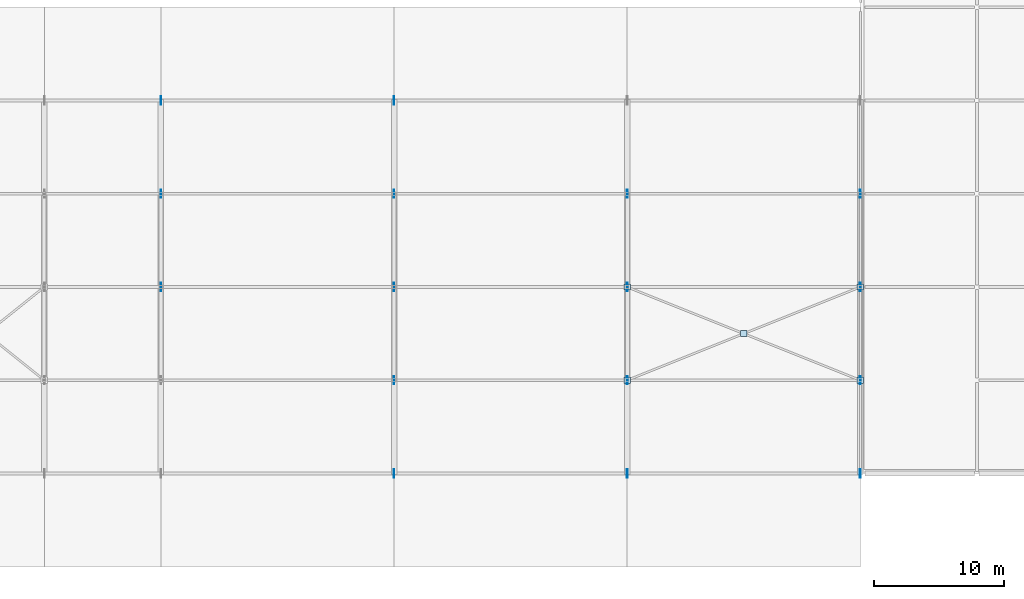
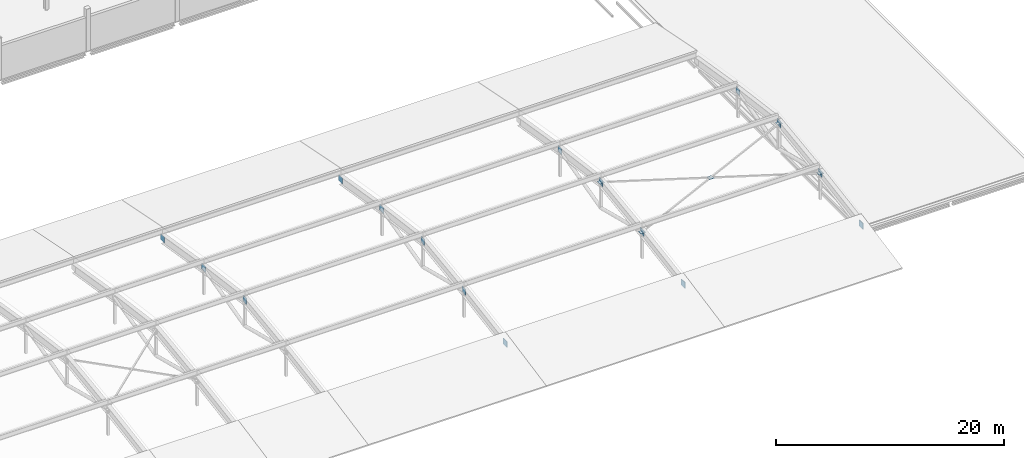
# One storey, part 61 of 78: 21 plates.
"""IFC4 building model written with IfcOpenShell, lengths in metres."""

from ifc_helpers import new_model, si_unit, direction, frame, origin, origin_2d, place, context, subcontext, project, spatial, rectangle, extrude, material, layer, layer_set, type_object, element, save


model = new_model("IFC4")

# Units and contexts
model_context = context("Model", 3, precision=1e-05, world=origin(), true_north=direction((0.0, 1.0)))
body_context = subcontext(model_context, "Body", "Model", "MODEL_VIEW")
ifc_project = project(units=[si_unit("LENGTHUNIT", "METRE"), si_unit("AREAUNIT", "SQUARE_METRE"), si_unit("VOLUMEUNIT", "CUBIC_METRE"), si_unit("PLANEANGLEUNIT", "RADIAN"), si_unit("MASSUNIT", "GRAM", prefix="KILO")], contexts=[model_context])

# Site, building, storey
site_placement = place(None, origin())
site = spatial("IfcSite", under=ifc_project, at=site_placement, CompositionType="ELEMENT")
building_placement = place(site_placement, origin())
building = spatial("IfcBuilding", under=site, at=building_placement, Name="Celestram Park Convention Centre", CompositionType="ELEMENT")
storey_placement = place(building_placement, frame((0.0, 0.0, 19.800048828125)))
storey = spatial("IfcBuildingStorey", under=building, at=storey_placement, Name="L04", CompositionType="ELEMENT", Elevation=19.800048828125)

# Plates
ifc_material = material(Name="Steel ASTM A572 Grade 50", Category="steel")
ifc_layer_1 = layer(ifc_material, 0.031982421875)
ifc_layer_set_1 = layer_set([ifc_layer_1], Name="Steel ASTM A572 Grade 50")
plate_type_1 = type_object("IfcPlateType", Name="STR-PLT-GP32", PredefinedType="USERDEFINED", material=ifc_layer_set_1)
for number, where, z_axis, x_axis, name in (
    (1, (117.0, 61.199951171875, 2.10498046875), (0.0, 0.0, 1.0), (1.0, 0.0, 0.0), "X-brace midpoint crossing gusset GP-L04-503"),
    (2, (108.0, 57.60009765625, 1.62548828125), (0.0, 0.0, 1.0), (1.0, 0.0, 0.0), "X-brace end gusset GP-L04-504"),
    (3, (126.0, 64.800048828125, 2.583984375), (0.0, 0.0, 1.0), (1.0, 0.0, 0.0), "X-brace end gusset GP-L04-505"),
    (4, (126.0, 57.60009765625, 1.62548828125), (0.0, 0.0, 1.0), (1.0, 0.0, 0.0), "X-brace end gusset GP-L04-506"),
    (5, (108.0, 64.800048828125, 2.583984375), (0.0, 0.0, 1.0), (1.0, 0.0, 0.0), "X-brace end gusset GP-L04-507"),
):
    element("IfcPlate", number, at=place(storey_placement, frame(where, z_axis=z_axis, x_axis=x_axis)), inside=storey, type_object=plate_type_1, Name=name, ObjectType="GUSSET_PLATE", PredefinedType="USERDEFINED", context=body_context, shape_type="SweptSolid", body=[
        extrude(rectangle(XDim=0.47998046875, YDim=0.47998046875, at=origin_2d()), origin(), (0.0, 0.0, 1.0), 0.031982421875),
    ])
ifc_layer_2 = layer(ifc_material, 0.050048828125)
ifc_layer_set_2 = layer_set([ifc_layer_2], Name="Steel ASTM A572 Grade 50")
plate_type_2 = type_object("IfcPlateType", Name="STR-PLT-GP50", PredefinedType="USERDEFINED", material=ifc_layer_set_2)
for number, where, z_axis, x_axis, name in (
    (6, (72.0, 64.800048828125, 2.303466796875), (0.0, 0.0, 1.0), (0.0, 1.0, 0.0), "V1 truss node gusset plate"),
    (7, (72.0, 72.0, 1.34521484375), (0.0, 0.0, 1.0), (0.0, 1.0, 0.0), "V1 truss node gusset plate"),
    (8, (72.0, 79.199951171875, 0.15673828125), (0.0, 0.0, 1.0), (0.0, 1.0, 0.0), "V1 truss node gusset plate"),
    (9, (90.0, 50.39990234375, 0.15673828125), (0.0, 0.0, 1.0), (0.0, 1.0, 0.0), "V1 truss node gusset plate"),
    (10, (90.0, 57.60009765625, 1.34521484375), (0.0, 0.0, 1.0), (0.0, 1.0, 0.0), "V1 truss node gusset plate"),
    (11, (90.0, 64.800048828125, 2.303466796875), (0.0, 0.0, 1.0), (0.0, 1.0, 0.0), "V1 truss node gusset plate"),
    (12, (90.0, 72.0, 1.34521484375), (0.0, 0.0, 1.0), (0.0, 1.0, 0.0), "V1 truss node gusset plate"),
    (13, (90.0, 79.199951171875, 0.15673828125), (0.0, 0.0, 1.0), (0.0, 1.0, 0.0), "V1 truss node gusset plate"),
    (14, (108.0, 50.39990234375, 0.15673828125), (0.0, 0.0, 1.0), (0.0, 1.0, 0.0), "V1 truss node gusset plate"),
    (15, (108.0, 57.60009765625, 1.34521484375), (0.0, 0.0, 1.0), (0.0, 1.0, 0.0), "V1 truss node gusset plate"),
    (16, (108.0, 64.800048828125, 2.303466796875), (0.0, 0.0, 1.0), (0.0, 1.0, 0.0), "V1 truss node gusset plate"),
    (17, (108.0, 72.0, 1.34521484375), (0.0, 0.0, 1.0), (0.0, 1.0, 0.0), "V1 truss node gusset plate"),
    (18, (126.0, 50.39990234375, 0.15673828125), (0.0, 0.0, 1.0), (0.0, 1.0, 0.0), "V1 truss node gusset plate"),
    (19, (126.0, 57.60009765625, 1.34521484375), (0.0, 0.0, 1.0), (0.0, 1.0, 0.0), "V1 truss node gusset plate"),
    (20, (126.0, 64.800048828125, 2.303466796875), (0.0, 0.0, 1.0), (0.0, 1.0, 0.0), "V1 truss node gusset plate"),
    (21, (126.0, 72.0, 1.34521484375), (0.0, 0.0, 1.0), (0.0, 1.0, 0.0), "V1 truss node gusset plate"),
):
    element("IfcPlate", number, at=place(storey_placement, frame(where, z_axis=z_axis, x_axis=x_axis)), inside=storey, type_object=plate_type_2, Name=name, ObjectType="GUSSET_PLATE", PredefinedType="USERDEFINED", context=body_context, shape_type="SweptSolid", body=[
        extrude(rectangle(XDim=0.64990234375, YDim=0.050048828125, at=origin_2d()), origin(), (0.0, 0.0, 1.0), 0.64990234375),
    ])

save(model, "model.ifc")
